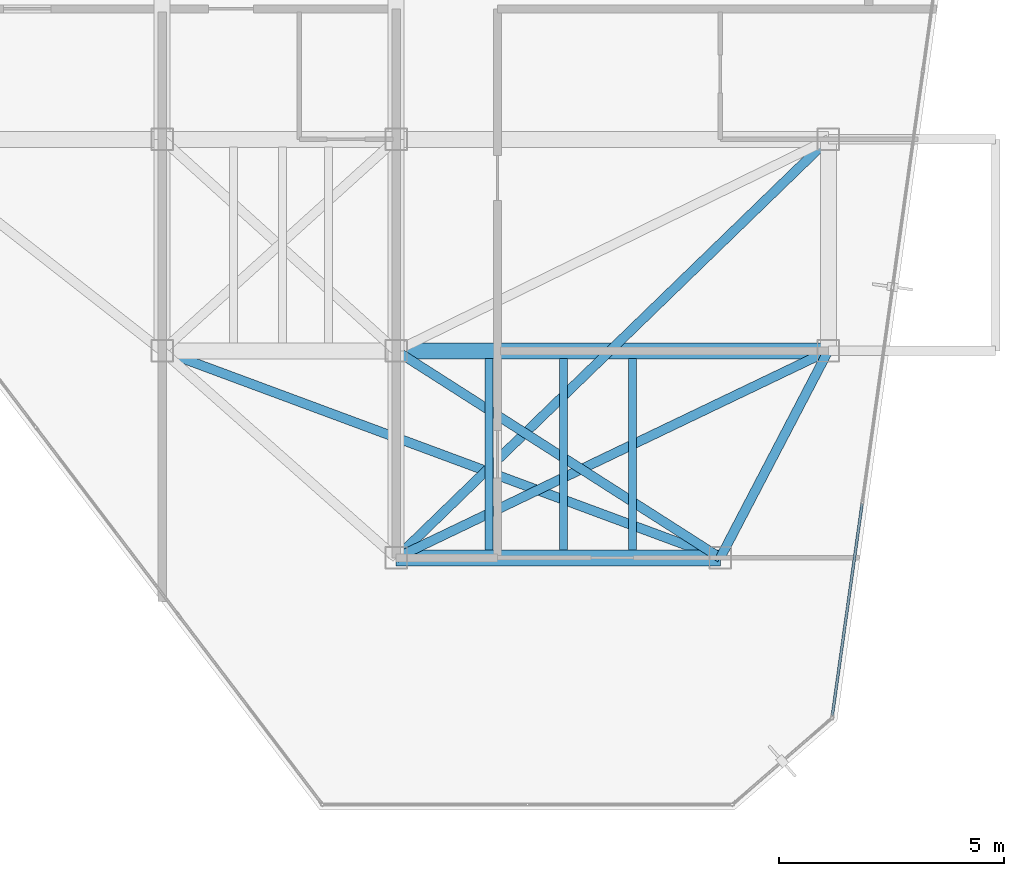
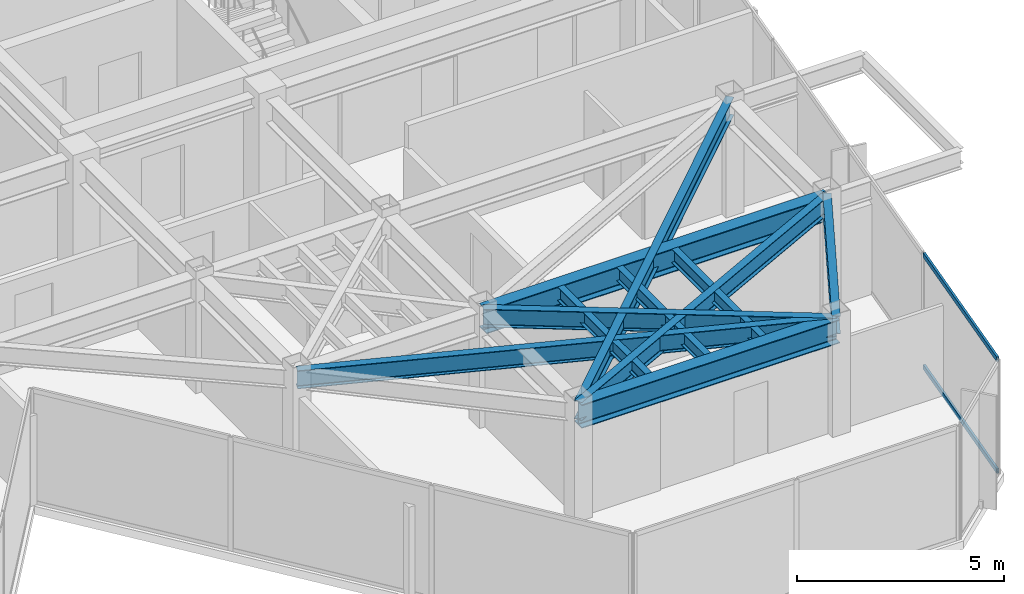
# One storey, part 11 of 21: 10 beams, 2 members, 1 element without a shape of its own.
"""IFC4 building model written with IfcOpenShell, lengths in metres."""

from ifc_helpers import new_model, si_unit, direction, frame, origin, origin_2d, place, context, subcontext, project, spatial, hollow_rectangle, i_section, extrude, material, layer, layer_set, material_profile, profile_set, type_object, element, aggregate, save


model = new_model("IFC4")

# Units and contexts
model_context = context("Model", 3, precision=1e-05, world=origin(), true_north=direction((0.0, 1.0)))
body_context = subcontext(model_context, "Body", "Model", "MODEL_VIEW")
ifc_project = project(units=[si_unit("LENGTHUNIT", "METRE"), si_unit("AREAUNIT", "SQUARE_METRE"), si_unit("VOLUMEUNIT", "CUBIC_METRE"), si_unit("PLANEANGLEUNIT", "RADIAN"), si_unit("MASSUNIT", "GRAM", prefix="KILO")], contexts=[model_context])

# Site, building, storey
site_placement = place(None, origin())
site = spatial("IfcSite", under=ifc_project, at=site_placement, CompositionType="ELEMENT")
building_placement = place(site_placement, origin())
building = spatial("IfcBuilding", under=site, at=building_placement, Name="Kravanh Interchange Tower", CompositionType="ELEMENT")
storey_placement = place(building_placement, frame((0.0, 0.0, 231.0)))
storey = spatial("IfcBuildingStorey", under=building, at=storey_placement, Name="L55", CompositionType="ELEMENT", Elevation=231.0)

# Curtain wall, members
ifc_material_1 = material(Name="Anodised Bronze Aluminium", Category="aluminium")
ifc_layer = layer(ifc_material_1, 0.179931640625)
ifc_layer_set = layer_set([ifc_layer], Name="Unitised Curtain Wall System CW-HTL Luxury Hotel")
curtain_wall_type = type_object("IfcCurtainWallType", Name="Unitised Curtain Wall System CW-HTL Luxury Hotel", PredefinedType="NOTDEFINED", material=ifc_layer_set)
curtain_wall_placement = place(storey_placement, origin())
curtain_wall = element("IfcCurtainWall", 1, at=curtain_wall_placement, inside=storey, type_object=curtain_wall_type, Name="L55 Unitised Curtain Wall CW-L55-01", PredefinedType="NOTDEFINED")
ifc_material_2 = material(Name="Anodised Bronze Aluminium", Category="aluminium")
ifc_material_profile_1 = material_profile(ifc_material_2, hollow_rectangle(XDim=0.06005859375, YDim=0.139892578125, WallThickness=0.00390625, at=origin_2d()), Name="ALU60X140X4")
ifc_profile_set_1 = profile_set([ifc_material_profile_1], Name="Anodised Bronze Aluminium")
member_type = type_object("IfcMemberType", Name="Curtain Wall Transom ALU60X140X4 Bronze", PredefinedType="USERDEFINED", material=ifc_profile_set_1)
member_1_placement = place(storey_placement, frame((66.3515625, 23.401611328125, 0.030029296875), z_axis=(-0.139174451053, -0.990267878997, 0.0), x_axis=(0.990267878997, -0.139174451053, 0.0)))
member_1 = element("IfcMember", 2, at=member_1_placement, type_object=member_type, Name="CW-HTL transom 4.1", ObjectType="TRANSOM", PredefinedType="USERDEFINED", context=body_context, shape_type="SweptSolid", body=[
    extrude(hollow_rectangle(XDim=0.06005859375, YDim=0.139892578125, WallThickness=0.00390625, at=origin_2d()), origin(), (0.0, 0.0, 1.0), 4.746826171875),
])
member_2_placement = place(storey_placement, frame((66.3515625, 23.401611328125, 3.330078125), z_axis=(-0.139174451053, -0.990267878997, 0.0), x_axis=(0.990267878997, -0.139174451053, 0.0)))
member_2 = element("IfcMember", 3, at=member_2_placement, type_object=member_type, Name="CW-HTL transom 4.2", ObjectType="TRANSOM", PredefinedType="USERDEFINED", context=body_context, shape_type="SweptSolid", body=[
    extrude(hollow_rectangle(XDim=0.06005859375, YDim=0.139892578125, WallThickness=0.00390625, at=origin_2d()), origin(), (0.0, 0.0, 1.0), 4.746826171875),
])
aggregate(curtain_wall, [member_1, member_2])

# Beams
ifc_material_3 = material(Name="Structural Steel S355", Category="steel")
ifc_material_profile_2 = material_profile(ifc_material_3, i_section(OverallWidth=0.35498046875, OverallDepth=0.696044921875, WebThickness=0.015380859375, FlangeThickness=0.02490234375, FilletRadius=0.02392578125, at=origin_2d()), Name="W27X146")
ifc_profile_set_2 = profile_set([ifc_material_profile_2], Name="Structural Steel S355")
beam_type_1 = type_object("IfcBeamType", Name="Floor Beam W27X146 Structural Steel S355", PredefinedType="BEAM", material=ifc_profile_set_2)
beam_1_placement = place(storey_placement, frame((56.0, 26.800048828125, 3.011962890625), z_axis=(1.0, 0.0, 0.0), x_axis=(0.0, 1.0, 0.0)))
element("IfcBeam", 4, at=beam_1_placement, inside=storey, type_object=beam_type_1, Name="L55 Primary Floor Girder 36", PredefinedType="BEAM", context=body_context, shape_type="SweptSolid", body=[
    extrude(i_section(OverallWidth=0.35498046875, OverallDepth=0.696044921875, WebThickness=0.015380859375, FlangeThickness=0.02490234375, FilletRadius=0.02392578125, at=origin_2d()), origin(), (0.0, 0.0, 1.0), 9.60009765625),
])
beam_2_placement = place(storey_placement, frame((56.0, 22.199951171875, 3.011962890625), z_axis=(1.0, 0.0, 0.0), x_axis=(0.0, 1.0, 0.0)))
element("IfcBeam", 5, at=beam_2_placement, inside=storey, type_object=beam_type_1, Name="L55 Primary Floor Girder 39", PredefinedType="BEAM", context=body_context, shape_type="SweptSolid", body=[
    extrude(i_section(OverallWidth=0.35498046875, OverallDepth=0.696044921875, WebThickness=0.015380859375, FlangeThickness=0.02490234375, FilletRadius=0.02392578125, at=origin_2d()), origin(), (0.0, 0.0, 1.0), 7.199951171875),
])
ifc_material_4 = material(Name="Structural Steel S355", Category="steel")
ifc_material_profile_3 = material_profile(ifc_material_4, i_section(OverallWidth=0.177978515625, OverallDepth=0.406005859375, WebThickness=0.0078125, FlangeThickness=0.0126953125, FilletRadius=0.01611328125, at=origin_2d()), Name="W16X40")
ifc_profile_set_3 = profile_set([ifc_material_profile_3], Name="Structural Steel S355")
beam_type_2 = type_object("IfcBeamType", Name="Floor Joist W16X40 Structural Steel S355", PredefinedType="JOIST", material=ifc_profile_set_3)
for number, where, z_axis, x_axis, name in (
    (6, (58.06591796875, 22.37255859375, 3.156982421875), (0.0, 1.0, 0.0), (-1.0, 0.0, 0.0), "L55 Secondary Floor Joist 1"),
    (7, (59.718017578125, 22.37255859375, 3.156982421875), (0.0, 1.0, 0.0), (-1.0, 0.0, 0.0), "L55 Secondary Floor Joist 2"),
    (8, (61.251953125, 22.37255859375, 3.156982421875), (0.0, 1.0, 0.0), (-1.0, 0.0, 0.0), "L55 Secondary Floor Joist 3"),
):
    element("IfcBeam", number, at=place(storey_placement, frame(where, z_axis=z_axis, x_axis=x_axis)), inside=storey, type_object=beam_type_2, Name=name, PredefinedType="JOIST", context=body_context, shape_type="SweptSolid", body=[
        extrude(i_section(OverallWidth=0.177978515625, OverallDepth=0.406005859375, WebThickness=0.0078125, FlangeThickness=0.0126953125, FilletRadius=0.01611328125, at=origin_2d()), origin(), (0.0, 0.0, 1.0), 4.2548828125),
    ])
ifc_material_5 = material(Name="Structural Steel S355", Category="steel")
ifc_material_profile_4 = material_profile(ifc_material_5, i_section(OverallWidth=0.2099609375, OverallDepth=0.537109375, WebThickness=0.010986328125, FlangeThickness=0.017333984375, FilletRadius=0.02001953125, at=origin_2d()), Name="W21X68")
ifc_profile_set_4 = profile_set([ifc_material_profile_4], Name="Structural Steel S355")
beam_type_3 = type_object("IfcBeamType", Name="Floor Spandrel W21X68 Structural Steel S355", PredefinedType="SPANDREL", material=ifc_profile_set_4)
beam_3_placement = place(storey_placement, frame((65.60009765625, 31.5, 3.091552734375), z_axis=(-0.718241934329, -0.695793449072, 0.0), x_axis=(0.695793449072, -0.718241934329, 0.0)))
element("IfcBeam", 9, at=beam_3_placement, inside=storey, type_object=beam_type_3, Name="L55 Perimeter Spandrel 16", PredefinedType="SPANDREL", context=body_context, shape_type="SweptSolid", body=[
    extrude(i_section(OverallWidth=0.2099609375, OverallDepth=0.537109375, WebThickness=0.010986328125, FlangeThickness=0.017333984375, FilletRadius=0.02001953125, at=origin_2d()), origin(), (0.0, 0.0, 1.0), 13.3662109375),
])
beam_4_placement = place(storey_placement, frame((50.800048828125, 26.800048828125, 3.091552734375), z_axis=(0.937562917338, -0.347815721372, 0.0), x_axis=(0.347815721372, 0.937562917338, 0.0)))
element("IfcBeam", 10, at=beam_4_placement, inside=storey, type_object=beam_type_3, Name="L55 Perimeter Spandrel 33", PredefinedType="SPANDREL", context=body_context, shape_type="SweptSolid", body=[
    extrude(i_section(OverallWidth=0.2099609375, OverallDepth=0.537109375, WebThickness=0.010986328125, FlangeThickness=0.017333984375, FilletRadius=0.02001953125, at=origin_2d()), origin(), (0.0, 0.0, 1.0), 13.2255859375),
])
beam_5_placement = place(storey_placement, frame((56.0, 26.800048828125, 3.091552734375), z_axis=(0.842689417531, -0.53839998661, 0.0), x_axis=(0.53839998661, 0.842689417531, 0.0)))
element("IfcBeam", 11, at=beam_5_placement, inside=storey, type_object=beam_type_3, Name="L55 Perimeter Spandrel 35", PredefinedType="SPANDREL", context=body_context, shape_type="SweptSolid", body=[
    extrude(i_section(OverallWidth=0.2099609375, OverallDepth=0.537109375, WebThickness=0.010986328125, FlangeThickness=0.017333984375, FilletRadius=0.02001953125, at=origin_2d()), origin(), (0.0, 0.0, 1.0), 8.5439453125),
])
beam_6_placement = place(storey_placement, frame((65.60009765625, 26.800048828125, 3.091552734375), z_axis=(-0.462580479178, -0.886577295155, 0.0), x_axis=(0.886577295155, -0.462580479178, 0.0)))
element("IfcBeam", 12, at=beam_6_placement, inside=storey, type_object=beam_type_3, Name="L55 Perimeter Spandrel 37", PredefinedType="SPANDREL", context=body_context, shape_type="SweptSolid", body=[
    extrude(i_section(OverallWidth=0.2099609375, OverallDepth=0.537109375, WebThickness=0.010986328125, FlangeThickness=0.017333984375, FilletRadius=0.02001953125, at=origin_2d()), origin(), (0.0, 0.0, 1.0), 5.188720703125),
])
beam_7_placement = place(storey_placement, frame((65.60009765625, 26.800048828125, 3.091552734375), z_axis=(-0.901814166789, -0.432124066188, 0.0), x_axis=(0.432124066188, -0.901814166789, 0.0)))
element("IfcBeam", 13, at=beam_7_placement, inside=storey, type_object=beam_type_3, Name="L55 Perimeter Spandrel 38", PredefinedType="SPANDREL", context=body_context, shape_type="SweptSolid", body=[
    extrude(i_section(OverallWidth=0.2099609375, OverallDepth=0.537109375, WebThickness=0.010986328125, FlangeThickness=0.017333984375, FilletRadius=0.02001953125, at=origin_2d()), origin(), (0.0, 0.0, 1.0), 10.645263671875),
])

save(model, "model.ifc")
